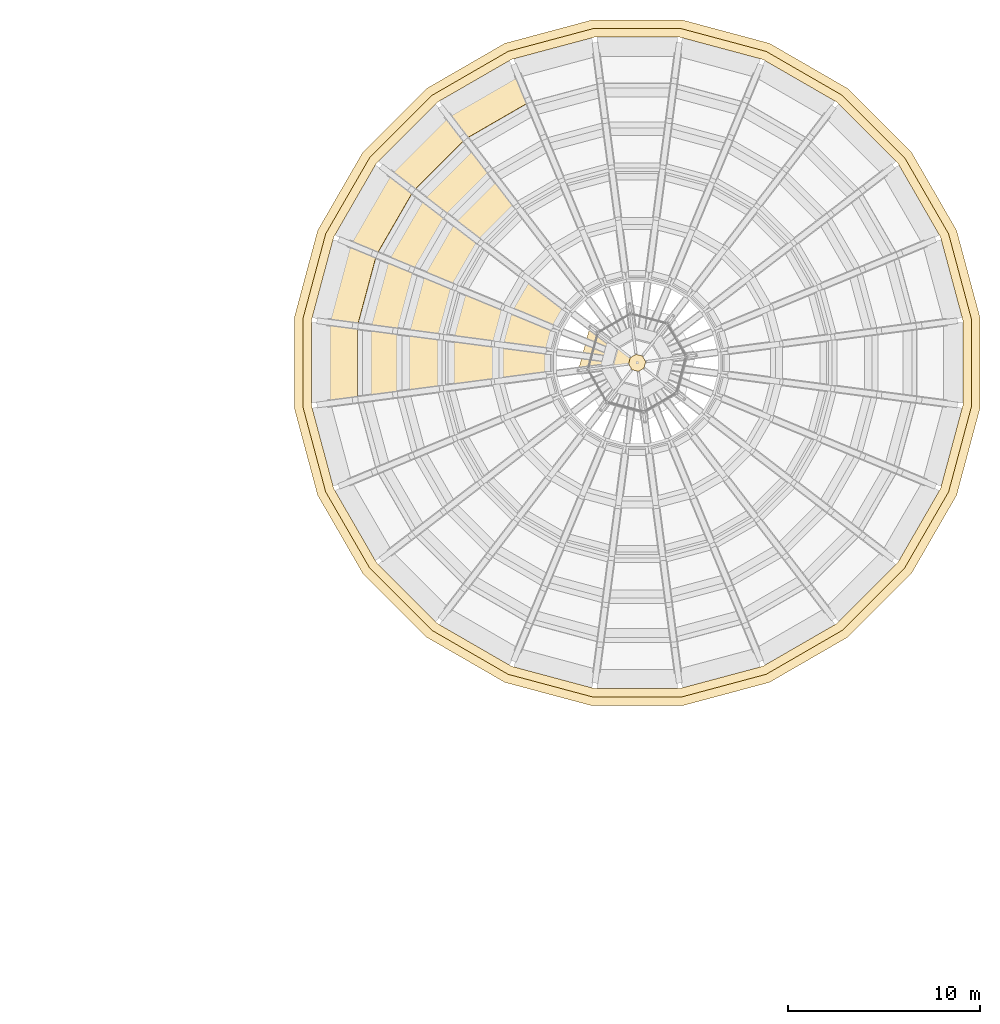
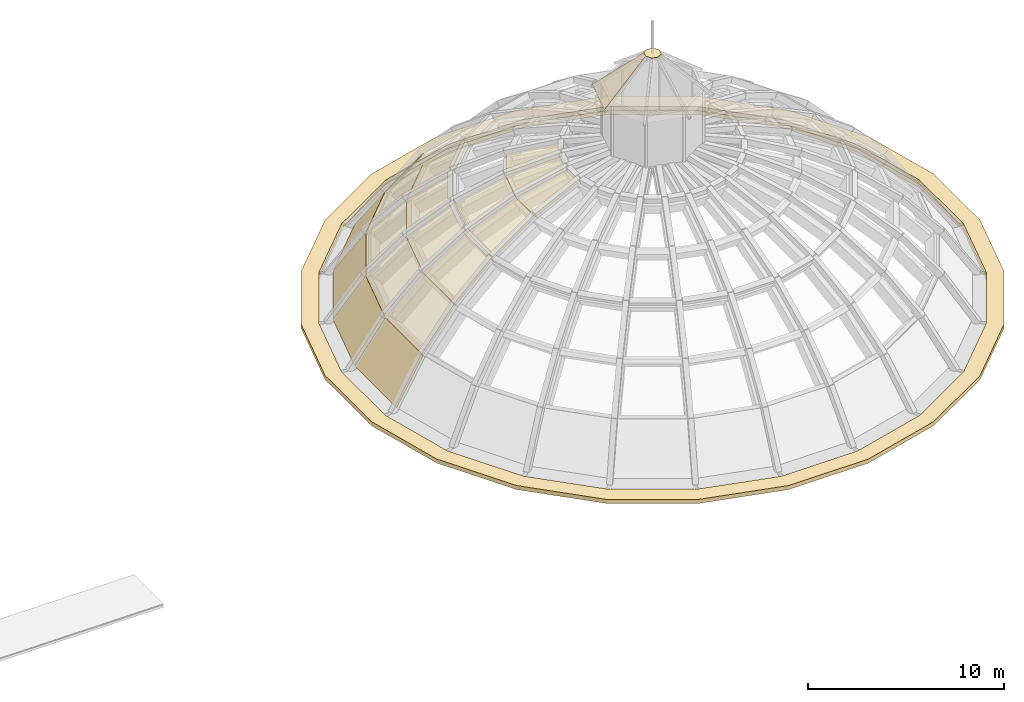
# One storey, part 28 of 29: 22 coverings.
"""IFC4 building model written with IfcOpenShell, lengths in metres."""

from ifc_helpers import new_model, si_unit, direction, frame, origin, place, context, subcontext, project, spatial, polyline, outline, extrude, material, layer, layer_set, type_object, element, save


model = new_model("IFC4")

# Units and contexts
model_context = context("Model", 3, precision=1e-05, world=origin(), true_north=direction((0.0, 1.0)))
body_context = subcontext(model_context, "Body", "Model", "MODEL_VIEW")
ifc_project = project(units=[si_unit("LENGTHUNIT", "METRE"), si_unit("AREAUNIT", "SQUARE_METRE"), si_unit("VOLUMEUNIT", "CUBIC_METRE"), si_unit("PLANEANGLEUNIT", "RADIAN"), si_unit("MASSUNIT", "GRAM", prefix="KILO")], contexts=[model_context])

# Site, building, storey
site_placement = place(None, origin())
site = spatial("IfcSite", under=ifc_project, at=site_placement, CompositionType="ELEMENT")
building_placement = place(site_placement, origin())
building = spatial("IfcBuilding", under=site, at=building_placement, Name="Golden Quay Civic Hall", CompositionType="ELEMENT")
storey_placement = place(building_placement, frame((0.0, 0.0, 27.0)))
storey = spatial("IfcBuildingStorey", under=building, at=storey_placement, Name="L06", CompositionType="ELEMENT", Elevation=27.0)

# Coverings
ifc_material_1 = material(Name="Ceramic tile")
ifc_layer_1 = layer(ifc_material_1, 0.030029296875)
ifc_layer_set_1 = layer_set([ifc_layer_1], Name="Ceramic tile roofing, green glaze")
covering_type_1 = type_object("IfcCoveringType", Name="Ceramic tile roofing, green glaze", PredefinedType="ROOFING", material=ifc_layer_set_1)
covering_1_placement = place(storey_placement, frame((79.21142578125, 100.673583984375, 0.162109375), z_axis=(-0.41708510794, 0.722419194234, 0.551498432035), x_axis=(-0.866028420625, -0.499994774633, -3.146125e-06)))
element("IfcCovering", 1, at=covering_1_placement, inside=storey, type_object=covering_type_1, Name="Dome tile roofing 1.8", PredefinedType="ROOFING", context=body_context, shape_type="SweptSolid", body=[
    extrude(outline(polyline([(0.0, 0.0), (4.281330031252493, 0.0), (4.060276940055016, 3.043812687252853), (0.22094589185488453, 3.0437820598821443), (0.0, 0.0)])), origin(), (0.0, 0.0, -1.0), 0.030029296875),
])
covering_2_placement = place(storey_placement, frame((75.498291015625, 98.529052734375, 0.162109375), z_axis=(-0.589828881025, 0.589828881025, 0.551546718074), x_axis=(-0.707106781187, -0.707106781187, 0.0)))
element("IfcCovering", 2, at=covering_2_placement, inside=storey, type_object=covering_type_1, Name="Dome tile roofing 1.9", PredefinedType="ROOFING", context=body_context, shape_type="SweptSolid", body=[
    extrude(outline(polyline([(0.0, 0.0), (4.281310589215424, 0.0), (4.060512353586129, 3.0439138695393515), (0.22079823562929546, 3.0439138695393515), (0.0, 0.0)])), origin(), (0.0, 0.0, -1.0), 0.030029296875),
])
covering_3_placement = place(storey_placement, frame((72.467041015625, 95.496337890625, 0.162109375), z_axis=(-0.722419194234, 0.41708510794, 0.551498432035), x_axis=(-0.499994774633, -0.866028420625, 3.146125e-06)))
element("IfcCovering", 3, at=covering_3_placement, inside=storey, type_object=covering_type_1, Name="Dome tile roofing 1.10", PredefinedType="ROOFING", context=body_context, shape_type="SweptSolid", body=[
    extrude(outline(polyline([(0.0, 0.0), (4.281330031252493, 0.0), (4.060384139397608, 3.043782059882144), (0.22105309119747676, 3.043812687252853), (0.0, 0.0)])), origin(), (0.0, 0.0, -1.0), 0.030029296875),
])
covering_4_placement = place(storey_placement, frame((70.32373046875, 91.78271484375, 0.162109375), z_axis=(-0.805740157574, 0.215873860886, 0.551526313659), x_axis=(-0.258787898456, -0.96593417144, 7.500766e-06)))
element("IfcCovering", 4, at=covering_4_placement, inside=storey, type_object=covering_type_1, Name="Dome tile roofing 1.11", PredefinedType="ROOFING", context=body_context, shape_type="SweptSolid", body=[
    extrude(outline(polyline([(0.0, 0.0), (4.281332620416049, 0.0), (4.0603421036532055, 3.0438281280134967), (0.22103380021148802, 3.0439011490324437), (0.0, 0.0)])), origin(), (0.0, 0.0, -1.0), 0.030029296875),
])
covering_5_placement = place(storey_placement, frame((69.21484375, 87.640625, 0.162109375), z_axis=(-0.834129739032, 0.0, 0.551568289935), x_axis=(0.0, -1.0, 0.0)))
element("IfcCovering", 5, at=covering_5_placement, inside=storey, type_object=covering_type_1, Name="Dome tile roofing 1.12", PredefinedType="ROOFING", context=body_context, shape_type="SweptSolid", body=[
    extrude(outline(polyline([(0.0, 0.0), (4.28125, 0.0), (4.060302734375, 3.043965921830922), (0.220947265625, 3.043965921830922), (0.0, 0.0)])), origin(), (0.0, 0.0, -1.0), 0.030029296875),
])
covering_6_placement = place(storey_placement, frame((76.53125, 97.18359375, 2.705078125), z_axis=(-0.518937405576, 0.518937405576, 0.67927015111), x_axis=(-0.707106781187, -0.707106781187, 0.0)))
element("IfcCovering", 6, at=covering_6_placement, inside=storey, type_object=covering_type_1, Name="Dome tile roofing 2.9", PredefinedType="ROOFING", context=body_context, shape_type="SweptSolid", body=[
    extrude(outline(polyline([(0.0, 0.0), (3.8393688509738326, 0.0), (3.5676437353518535, 3.039580872168448), (0.271725115621979, 3.0395808721684485), (0.0, 0.0)])), origin(), (0.0, 0.0, -1.0), 0.030029296875),
])
covering_7_placement = place(storey_placement, frame((73.81298828125, 94.464111328125, 2.705078125), z_axis=(-0.635566847761, 0.366940723833, 0.67927114411), x_axis=(-0.499999284017, -0.866025817147, -4.164204e-06)))
element("IfcCovering", 7, at=covering_7_placement, inside=storey, type_object=covering_type_1, Name="Dome tile roofing 2.10", PredefinedType="ROOFING", context=body_context, shape_type="SweptSolid", body=[
    extrude(outline(polyline([(0.0, 0.0), (3.839331048327833, 2.220446049250313e-16), (3.5674013270130684, 3.039604920953473), (0.27190890262847806, 3.0395644367292958), (0.0, 0.0)])), origin(), (0.0, 0.0, -1.0), 0.030029296875),
])
covering_8_placement = place(storey_placement, frame((71.89111328125, 91.1337890625, 2.705078125), z_axis=(-0.708878331371, 0.189944939548, 0.679273458375), x_axis=(-0.258816057436, -0.965926626811, 5.564489e-06)))
element("IfcCovering", 8, at=covering_8_placement, inside=storey, type_object=covering_type_1, Name="Dome tile roofing 2.11", PredefinedType="ROOFING", context=body_context, shape_type="SweptSolid", body=[
    extrude(outline(polyline([(0.0, 0.0), (3.8393083044488256, 1.1102230246251565e-16), (3.5674137196435556, 3.0395665018301656), (0.27175439550562486, 3.0396206008163373), (0.0, 0.0)])), origin(), (0.0, 0.0, -1.0), 0.030029296875),
])
covering_9_placement = place(storey_placement, frame((70.896728515625, 87.419677734375, 2.705078125), z_axis=(-0.733888200991, 0.0, 0.679270276434), x_axis=(0.0, -1.0, 0.0)))
element("IfcCovering", 9, at=covering_9_placement, inside=storey, type_object=covering_type_1, Name="Dome tile roofing 2.12", PredefinedType="ROOFING", context=body_context, shape_type="SweptSolid", body=[
    extrude(outline(polyline([(0.0, 0.0), (3.83935546875, 0.0), (3.5673828125, 3.039581352601028), (0.27197265625, 3.039581352601028), (0.0, 0.0)])), origin(), (0.0, 0.0, -1.0), 0.030029296875),
])
covering_10_placement = place(storey_placement, frame((77.801513671875, 95.52880859375, 4.939208984375), z_axis=(-0.434115883787, 0.434115883787, 0.789358472995), x_axis=(-0.707106781187, -0.707106781187, 0.0)))
element("IfcCovering", 10, at=covering_10_placement, inside=storey, type_object=covering_type_1, Name="Dome tile roofing 3.9", PredefinedType="ROOFING", context=body_context, shape_type="SweptSolid", body=[
    extrude(outline(polyline([(0.0, 0.0), (3.295573352746873, 0.0), (2.980171963775237, 3.0357886530678746), (0.3154013889716363, 3.0357886530678746), (0.0, 0.0)])), origin(), (0.0, 0.0, -1.0), 0.030029296875),
])
covering_11_placement = place(storey_placement, frame((75.46826171875, 93.194580078125, 4.939208984375), z_axis=(-0.531722573778, 0.306977745843, 0.789326148111), x_axis=(-0.500001131999, -0.8660247501, -1.4649417e-05)))
element("IfcCovering", 11, at=covering_11_placement, inside=storey, type_object=covering_type_1, Name="Dome tile roofing 3.10", PredefinedType="ROOFING", context=body_context, shape_type="SweptSolid", body=[
    extrude(outline(polyline([(0.0, 0.0), (3.2958259263691243, 0.0), (2.9802447658380964, 3.0356542736119536), (0.3154405324371513, 3.0355120530276447), (0.0, 0.0)])), origin(), (0.0, 0.0, -1.0), 0.030029296875),
])
covering_12_placement = place(storey_placement, frame((73.818603515625, 90.3359375, 4.939208984375), z_axis=(-0.593030339948, 0.158907587063, 0.789343648024), x_axis=(-0.258831309273, -0.965922540026, -3.039489e-06)))
element("IfcCovering", 12, at=covering_12_placement, inside=storey, type_object=covering_type_1, Name="Dome tile roofing 3.11", PredefinedType="ROOFING", context=body_context, shape_type="SweptSolid", body=[
    extrude(outline(polyline([(0.0, 0.0), (3.2956593247075916, -1.1102230246251565e-16), (2.9801123075538687, 3.035709158337486), (0.31533696863953575, 3.0356796500240923), (0.0, 0.0)])), origin(), (0.0, 0.0, -1.0), 0.030029296875),
])
covering_13_placement = place(storey_placement, frame((72.965087890625, 87.147705078125, 4.939208984375), z_axis=(-0.613985157117, 0.0, 0.789317570336), x_axis=(0.0, -1.0, 0.0)))
element("IfcCovering", 13, at=covering_13_placement, inside=storey, type_object=covering_type_1, Name="Dome tile roofing 3.12", PredefinedType="ROOFING", context=body_context, shape_type="SweptSolid", body=[
    extrude(outline(polyline([(0.0, 0.0), (3.29541015625, 0.0), (2.980224609375, 3.0355286437260154), (0.315185546875, 3.0355286437260154), (0.0, 0.0)])), origin(), (0.0, 0.0, -1.0), 0.030029296875),
])
covering_14_placement = place(storey_placement, frame((76.055419921875, 89.41015625, 6.8056640625), z_axis=(-0.461042312373, 0.123525399186, 0.878738562917), x_axis=(-0.258815131869, -0.965926874783, -9.358963e-06)))
element("IfcCovering", 14, at=covering_14_placement, inside=storey, type_object=covering_type_1, Name="Dome tile roofing 4.11", PredefinedType="ROOFING", context=body_context, shape_type="SweptSolid", body=[
    extrude(outline(polyline([(0.0, 0.0), (2.6647753389567947, 1.1102230246251565e-16), (2.3141383100335218, 3.0317050643175447), (0.3507803381747112, 3.031614315899368), (0.0, 0.0)])), origin(), (0.0, 0.0, -1.0), 0.030029296875),
])
covering_15_placement = place(storey_placement, frame((75.365234375, 86.83251953125, 6.8056640625), z_axis=(-0.477299774703, 0.0, 0.878740533416), x_axis=(0.0, -1.0, 0.0)))
element("IfcCovering", 15, at=covering_15_placement, inside=storey, type_object=covering_type_1, Name="Dome tile roofing 4.12", PredefinedType="ROOFING", context=body_context, shape_type="SweptSolid", body=[
    extrude(outline(polyline([(0.0, 0.0), (2.6650390625, 0.0), (2.314208984375, 3.0316827307864984), (0.350830078125, 3.0316827307864984), (0.0, 0.0)])), origin(), (0.0, 0.0, -1.0), 0.030029296875),
])
covering_16_placement = place(storey_placement, frame((79.52490234375, 90.083251953125, 8.25439453125), z_axis=(-0.283729400951, 0.16381995174, 0.944807202792), x_axis=(-0.500029839935, -0.866008174996, -3.968543e-06)))
element("IfcCovering", 16, at=covering_16_placement, inside=storey, type_object=covering_type_1, Name="Dome tile roofing 5.10", PredefinedType="ROOFING", context=body_context, shape_type="SweptSolid", body=[
    extrude(outline(polyline([(0.0, 0.0), (1.9632570598257966, 1.1102230246251565e-16), (1.5865429420510984, 3.0284264294508945), (0.3765866357915519, 3.0283879923228856), (0.0, 0.0)])), origin(), (0.0, 0.0, -1.0), 0.030029296875),
])
covering_17_placement = place(storey_placement, frame((78.5419921875, 88.380615234375, 8.25439453125), z_axis=(-0.316442892005, 0.084762839173, 0.944816996669), x_axis=(-0.258766089891, -0.965940013994, -9.389947e-06)))
element("IfcCovering", 17, at=covering_17_placement, inside=storey, type_object=covering_type_1, Name="Dome tile roofing 5.11", PredefinedType="ROOFING", context=body_context, shape_type="SweptSolid", body=[
    extrude(outline(polyline([(0.0, 0.0), (1.9633579740642204, 5.551115123125783e-17), (1.58674907299946, 3.0287137964352695), (0.3768630929631793, 3.0286228418594447), (0.0, 0.0)])), origin(), (0.0, 0.0, -1.0), 0.030029296875),
])
covering_18_placement = place(storey_placement, frame((78.03369140625, 86.481689453125, 8.25439453125), z_axis=(-0.327619978549, 0.0, 0.944809583808), x_axis=(0.0, -1.0, 0.0)))
element("IfcCovering", 18, at=covering_18_placement, inside=storey, type_object=covering_type_1, Name="Dome tile roofing 5.12", PredefinedType="ROOFING", context=body_context, shape_type="SweptSolid", body=[
    extrude(outline(polyline([(0.0, 0.0), (1.96337890625, 0.0), (1.586669921875, 3.0284706823861223), (0.376708984375, 3.0284706823861223), (0.0, 0.0)])), origin(), (0.0, 0.0, -1.0), 0.030029296875),
])
ifc_material_2 = material(Name="Copper")
ifc_layer_2 = layer(ifc_material_2, 0.030029296875)
ifc_layer_set_2 = layer_set([ifc_layer_2], Name="Copper apex cap 30")
covering_type_2 = type_object("IfcCoveringType", Name="Copper apex cap 30", PredefinedType="CLADDING", material=ifc_layer_set_2)
covering_19_placement = place(storey_placement, frame((0.0, 0.0, 15.1865234375)))
element("IfcCovering", 19, at=covering_19_placement, inside=storey, type_object=covering_type_2, Name="Crown apex cap", PredefinedType="CLADDING", context=body_context, shape_type="SweptSolid", body=[
    extrude(outline(polyline([(85.9462890625, 85.55859375), (85.77392578125, 85.85693359375), (85.44140625, 85.9462890625), (85.14306640625, 85.77392578125), (85.0537109375, 85.44140625), (85.22607421875, 85.14306640625), (85.55859375, 85.0537109375), (85.85693359375, 85.22607421875), (85.9462890625, 85.55859375)])), origin(), (0.0, 0.0, 1.0), 0.030029296875),
])
ifc_material_3 = material(Name="Copper")
ifc_layer_3 = layer(ifc_material_3, 0.030029296875)
ifc_layer_set_3 = layer_set([ifc_layer_3], Name="Copper roof sheeting 3")
covering_type_3 = type_object("IfcCoveringType", Name="Copper roof sheeting 3", PredefinedType="ROOFING", material=ifc_layer_set_3)
covering_20_placement = place(storey_placement, frame((83.04052734375, 87.38720703125, 12.997802734375), z_axis=(-0.648623278496, 0.173847210471, 0.740989196955), x_axis=(-0.258837221928, -0.965920954497, 4.6985827e-05)))
element("IfcCovering", 20, at=covering_20_placement, inside=storey, type_object=covering_type_3, Name="Crown roofing 4", PredefinedType="ROOFING", context=body_context, shape_type="SweptSolid", body=[
    extrude(outline(polyline([(0.0, 0.0), (2.3725770539587017, 0.0), (1.3585071490524054, 3.3039913363885782), (1.0141910447430944, 3.3041814365390727), (0.0, 0.0)])), origin(), (0.0, 0.0, -1.0), 0.030029296875),
])
ifc_material_4 = material(Name="Render on masonry", Category="masonry")
ifc_layer_4 = layer(ifc_material_4, 0.449951171875)
ifc_layer_set_4 = layer_set([ifc_layer_4], Name="Stepped cornice moulding, rendered")
covering_type_4 = type_object("IfcCoveringType", Name="Stepped cornice moulding, rendered", PredefinedType="MOLDING", material=ifc_layer_set_4)
covering_21_placement = place(storey_placement, frame((0.0, 0.0, -0.5)))
element("IfcCovering", 21, at=covering_21_placement, inside=storey, type_object=covering_type_4, Name="Drum cornice step 1", PredefinedType="MOLDING", context=body_context, shape_type="SweptSolid", body=[
    extrude(outline(polyline([(102.949951171875, 87.79736328125), (101.7607421875, 92.2353515625), (99.46337890625, 96.214599609375), (96.214599609375, 99.46337890625), (92.2353515625, 101.7607421875), (87.79736328125, 102.949951171875), (83.20263671875, 102.949951171875), (78.7646484375, 101.7607421875), (74.785400390625, 99.46337890625), (71.53662109375, 96.214599609375), (69.2392578125, 92.2353515625), (68.050048828125, 87.79736328125), (68.050048828125, 83.20263671875), (69.2392578125, 78.7646484375), (71.53662109375, 74.785400390625), (74.785400390625, 71.53662109375), (78.7646484375, 69.2392578125), (83.20263671875, 68.050048828125), (87.79736328125, 68.050048828125), (92.2353515625, 69.2392578125), (96.214599609375, 71.53662109375), (99.46337890625, 74.785400390625), (101.7607421875, 78.7646484375), (102.949951171875, 83.20263671875), (102.949951171875, 87.79736328125)]), holes=[polyline([(101.341552734375, 92.061767578125), (99.103515625, 95.938232421875), (95.938232421875, 99.103515625), (92.061767578125, 101.341552734375), (87.738037109375, 102.5), (83.261962890625, 102.5), (78.938232421875, 101.341552734375), (75.061767578125, 99.103515625), (71.896484375, 95.938232421875), (69.658447265625, 92.061767578125), (68.5, 87.738037109375), (68.5, 83.261962890625), (69.658447265625, 78.938232421875), (71.896484375, 75.061767578125), (75.061767578125, 71.896484375), (78.938232421875, 69.658447265625), (83.261962890625, 68.5), (87.738037109375, 68.5), (92.061767578125, 69.658447265625), (95.938232421875, 71.896484375), (99.103515625, 75.061767578125), (101.341552734375, 78.938232421875), (102.5, 83.261962890625), (102.5, 87.738037109375), (101.341552734375, 92.061767578125)])]), origin(), (0.0, 0.0, 1.0), 0.25),
])
covering_22_placement = place(storey_placement, frame((0.0, 0.0, -0.25)))
element("IfcCovering", 22, at=covering_22_placement, inside=storey, type_object=covering_type_4, Name="Drum cornice step 2", PredefinedType="MOLDING", context=body_context, shape_type="SweptSolid", body=[
    extrude(outline(polyline([(103.39990234375, 87.856689453125), (102.18017578125, 92.4091796875), (99.823486328125, 96.490966796875), (96.490966796875, 99.823486328125), (92.4091796875, 102.18017578125), (87.856689453125, 103.39990234375), (83.143310546875, 103.39990234375), (78.5908203125, 102.18017578125), (74.509033203125, 99.823486328125), (71.176513671875, 96.490966796875), (68.81982421875, 92.4091796875), (67.60009765625, 87.856689453125), (67.60009765625, 83.143310546875), (68.81982421875, 78.5908203125), (71.176513671875, 74.509033203125), (74.509033203125, 71.176513671875), (78.5908203125, 68.81982421875), (83.143310546875, 67.60009765625), (87.856689453125, 67.60009765625), (92.4091796875, 68.81982421875), (96.490966796875, 71.176513671875), (99.823486328125, 74.509033203125), (102.18017578125, 78.5908203125), (103.39990234375, 83.143310546875), (103.39990234375, 87.856689453125)]), holes=[polyline([(101.341552734375, 92.061767578125), (99.103515625, 95.938232421875), (95.938232421875, 99.103515625), (92.061767578125, 101.341552734375), (87.738037109375, 102.5), (83.261962890625, 102.5), (78.938232421875, 101.341552734375), (75.061767578125, 99.103515625), (71.896484375, 95.938232421875), (69.658447265625, 92.061767578125), (68.5, 87.738037109375), (68.5, 83.261962890625), (69.658447265625, 78.938232421875), (71.896484375, 75.061767578125), (75.061767578125, 71.896484375), (78.938232421875, 69.658447265625), (83.261962890625, 68.5), (87.738037109375, 68.5), (92.061767578125, 69.658447265625), (95.938232421875, 71.896484375), (99.103515625, 75.061767578125), (101.341552734375, 78.938232421875), (102.5, 83.261962890625), (102.5, 87.738037109375), (101.341552734375, 92.061767578125)])]), origin(), (0.0, 0.0, 1.0), 0.25),
])

save(model, "model.ifc")
